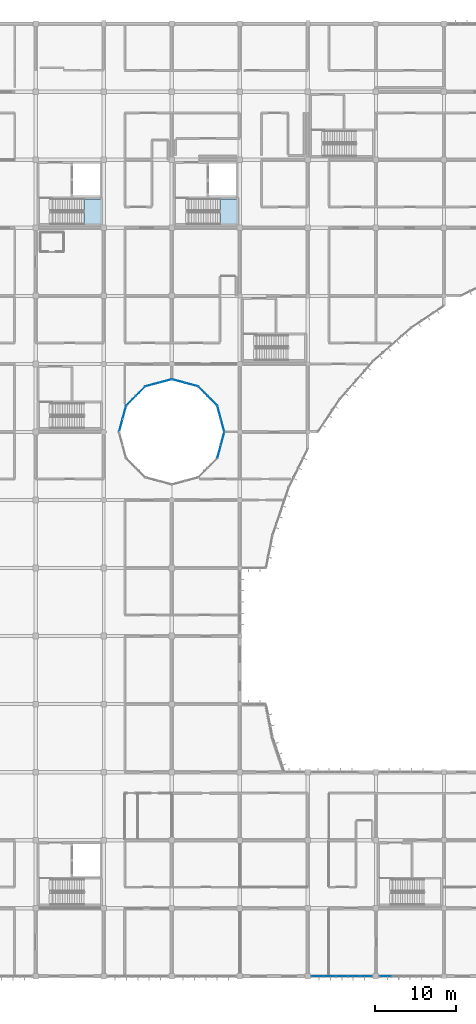
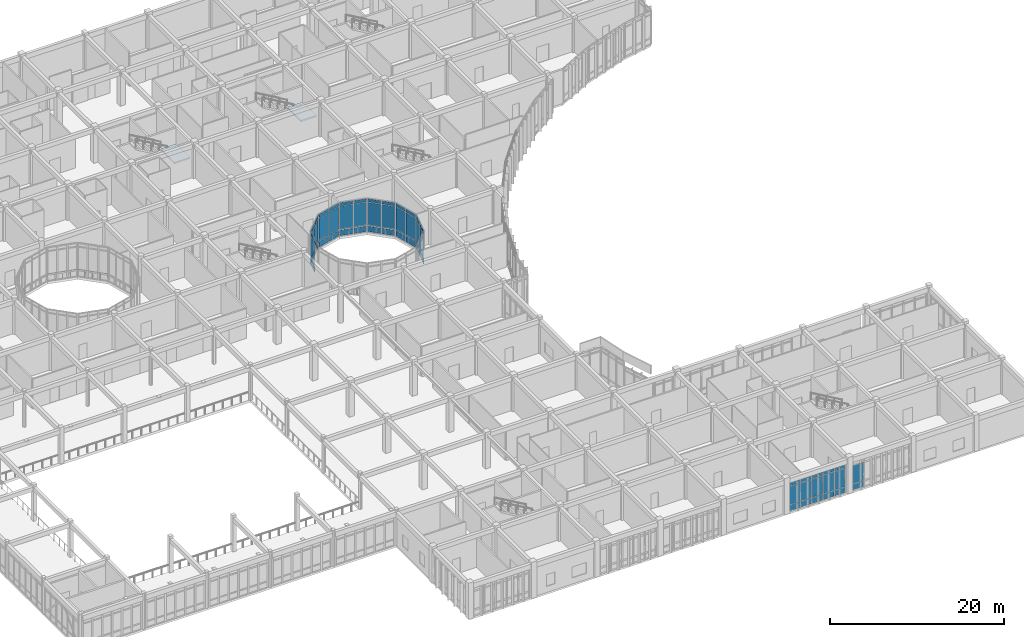
# One storey, part 79 of 134: 57 plates, 2 slabs, 11 elements without a shape of their own.
"""IFC4 building model written with IfcOpenShell, lengths in metres."""

from ifc_helpers import new_model, si_unit, direction, frame, origin, origin_2d, place, context, subcontext, project, spatial, polyline, rectangle, outline, extrude, material, layer, layer_set, type_object, element, aggregate, save


model = new_model("IFC4")

# Units and contexts
model_context = context("Model", 3, precision=1e-05, world=origin(), true_north=direction((0.0, 1.0)))
body_context = subcontext(model_context, "Body", "Model", "MODEL_VIEW")
ifc_project = project(units=[si_unit("LENGTHUNIT", "METRE"), si_unit("AREAUNIT", "SQUARE_METRE"), si_unit("VOLUMEUNIT", "CUBIC_METRE"), si_unit("PLANEANGLEUNIT", "RADIAN"), si_unit("MASSUNIT", "GRAM", prefix="KILO")], contexts=[model_context])

# Site, building, storey
site_placement = place(None, origin())
site = spatial("IfcSite", under=ifc_project, at=site_placement, CompositionType="ELEMENT")
building_placement = place(site_placement, origin())
building = spatial("IfcBuilding", under=site, at=building_placement, Name="Bramfleet General Hospital", CompositionType="ELEMENT")
storey_placement = place(building_placement, frame((0.0, 0.0, 9.300048828125)))
storey = spatial("IfcBuildingStorey", under=building, at=storey_placement, Name="L02", CompositionType="ELEMENT", Elevation=9.300048828125)

# Curtain wall, plates
ifc_material_1 = material(Name="Anodised aluminium and low-E triple glazing", Category="aluminium")
ifc_layer_1 = layer(ifc_material_1, 0.179931640625, Name="CWT-CW-18")
ifc_layer_set_1 = layer_set([ifc_layer_1], Name="Anodised aluminium and low-E triple glazing")
curtain_wall_type_1 = type_object("IfcCurtainWallType", Name="CWT-CW-18", PredefinedType="USERDEFINED", material=ifc_layer_set_1)
curtain_wall_1_placement = place(storey_placement, origin())
curtain_wall_1 = element("IfcCurtainWall", 1, at=curtain_wall_1_placement, inside=storey, type_object=curtain_wall_type_1, Name="L02 East Laboratory Light Court Curtain Wall 6.1", ObjectType="Stick curtain wall", PredefinedType="USERDEFINED")
ifc_material_2 = material(Name="Low-E laminated safety glass", Category="glass")
ifc_layer_2 = layer(ifc_material_2, 0.031982421875, Name="CWP-GLZ-2")
ifc_layer_set_2 = layer_set([ifc_layer_2], Name="Low-E laminated safety glass")
plate_type_1 = type_object("IfcPlateType", Name="CWP-GLZ-2", PredefinedType="CURTAIN_PANEL", material=ifc_layer_set_2)
plate_1_placement = place(storey_placement, frame((123.451171875, 64.779296875, 0.06494140625), z_axis=(0.0, 0.0, 1.0), x_axis=(0.258864833085, 0.965913556273, 0.0)))
plate_1 = element("IfcPlate", 2, at=plate_1_placement, type_object=plate_type_1, Name="CW-18 panel 1.1", PredefinedType="CURTAIN_PANEL", context=body_context, shape_type="SweptSolid", body=[
    extrude(rectangle(XDim=1.577392578125, YDim=0.031982421875, at=origin_2d()), origin(), (0.0, 0.0, 1.0), 0.802490234375),
])
plate_2_placement = place(storey_placement, frame((123.451171875, 64.779296875, 0.9326171875), z_axis=(0.0, 0.0, 1.0), x_axis=(0.258864833085, 0.965913556273, 0.0)))
plate_2 = element("IfcPlate", 3, at=plate_2_placement, type_object=plate_type_1, Name="CW-18 panel 1.2", PredefinedType="CURTAIN_PANEL", context=body_context, shape_type="SweptSolid", body=[
    extrude(rectangle(XDim=1.577392578125, YDim=0.031982421875, at=origin_2d()), origin(), (0.0, 0.0, 1.0), 3.2548828125),
])
plate_3_placement = place(storey_placement, frame((123.451171875, 64.779296875, 4.25244140625), z_axis=(0.0, 0.0, 1.0), x_axis=(0.258864833085, 0.965913556273, 0.0)))
plate_3 = element("IfcPlate", 4, at=plate_3_placement, type_object=plate_type_1, Name="CW-18 panel 1.3", PredefinedType="CURTAIN_PANEL", context=body_context, shape_type="SweptSolid", body=[
    extrude(rectangle(XDim=1.577392578125, YDim=0.031982421875, at=origin_2d()), origin(), (0.0, 0.0, 1.0), 0.452392578125),
])
plate_4_placement = place(storey_placement, frame((123.877685546875, 66.37060546875, 0.06494140625), z_axis=(0.0, 0.0, 1.0), x_axis=(0.258864833085, 0.965913556273, 0.0)))
plate_4 = element("IfcPlate", 5, at=plate_4_placement, type_object=plate_type_1, Name="CW-18 panel 2.1", PredefinedType="CURTAIN_PANEL", context=body_context, shape_type="SweptSolid", body=[
    extrude(rectangle(XDim=1.577392578125, YDim=0.031982421875, at=origin_2d()), origin(), (0.0, 0.0, 1.0), 0.802490234375),
])
plate_5_placement = place(storey_placement, frame((123.877685546875, 66.37060546875, 0.9326171875), z_axis=(0.0, 0.0, 1.0), x_axis=(0.258864833085, 0.965913556273, 0.0)))
plate_5 = element("IfcPlate", 6, at=plate_5_placement, type_object=plate_type_1, Name="CW-18 panel 2.2", PredefinedType="CURTAIN_PANEL", context=body_context, shape_type="SweptSolid", body=[
    extrude(rectangle(XDim=1.577392578125, YDim=0.031982421875, at=origin_2d()), origin(), (0.0, 0.0, 1.0), 3.2548828125),
])
plate_6_placement = place(storey_placement, frame((123.877685546875, 66.37060546875, 4.25244140625), z_axis=(0.0, 0.0, 1.0), x_axis=(0.258864833085, 0.965913556273, 0.0)))
plate_6 = element("IfcPlate", 7, at=plate_6_placement, type_object=plate_type_1, Name="CW-18 panel 2.3", PredefinedType="CURTAIN_PANEL", context=body_context, shape_type="SweptSolid", body=[
    extrude(rectangle(XDim=1.577392578125, YDim=0.031982421875, at=origin_2d()), origin(), (0.0, 0.0, 1.0), 0.452392578125),
])
aggregate(curtain_wall_1, [plate_1, plate_2, plate_3, plate_4, plate_5, plate_6])

ifc_layer_3 = layer(ifc_material_1, 0.179931640625, Name="CWT-CW-11")
ifc_layer_set_3 = layer_set([ifc_layer_3], Name="Anodised aluminium and low-E triple glazing")
curtain_wall_type_2 = type_object("IfcCurtainWallType", Name="CWT-CW-11", PredefinedType="USERDEFINED", material=ifc_layer_set_3)
curtain_wall_2_placement = place(storey_placement, origin())
curtain_wall_2 = element("IfcCurtainWall", 8, at=curtain_wall_2_placement, inside=storey, type_object=curtain_wall_type_2, Name="L02 East Laboratory Light Court Curtain Wall 7.1", ObjectType="Stick curtain wall", PredefinedType="USERDEFINED")
plate_7_placement = place(storey_placement, frame((123.877685546875, 68.029296875, 0.06494140625), z_axis=(0.0, 0.0, 1.0), x_axis=(-0.258864833085, 0.965913556273, 0.0)))
plate_7 = element("IfcPlate", 9, at=plate_7_placement, type_object=plate_type_1, Name="CW-11 panel 1.1", PredefinedType="CURTAIN_PANEL", context=body_context, shape_type="SweptSolid", body=[
    extrude(rectangle(XDim=1.577392578125, YDim=0.031982421875, at=origin_2d()), origin(), (0.0, 0.0, 1.0), 0.802490234375),
])
plate_8_placement = place(storey_placement, frame((123.877685546875, 68.029296875, 0.9326171875), z_axis=(0.0, 0.0, 1.0), x_axis=(-0.258864833085, 0.965913556273, 0.0)))
plate_8 = element("IfcPlate", 10, at=plate_8_placement, type_object=plate_type_1, Name="CW-11 panel 1.2", PredefinedType="CURTAIN_PANEL", context=body_context, shape_type="SweptSolid", body=[
    extrude(rectangle(XDim=1.577392578125, YDim=0.031982421875, at=origin_2d()), origin(), (0.0, 0.0, 1.0), 3.2548828125),
])
plate_9_placement = place(storey_placement, frame((123.877685546875, 68.029296875, 4.25244140625), z_axis=(0.0, 0.0, 1.0), x_axis=(-0.258864833085, 0.965913556273, 0.0)))
plate_9 = element("IfcPlate", 11, at=plate_9_placement, type_object=plate_type_1, Name="CW-11 panel 1.3", PredefinedType="CURTAIN_PANEL", context=body_context, shape_type="SweptSolid", body=[
    extrude(rectangle(XDim=1.577392578125, YDim=0.031982421875, at=origin_2d()), origin(), (0.0, 0.0, 1.0), 0.452392578125),
])
plate_10_placement = place(storey_placement, frame((123.451171875, 69.62060546875, 0.06494140625), z_axis=(0.0, 0.0, 1.0), x_axis=(-0.258864833085, 0.965913556273, 0.0)))
plate_10 = element("IfcPlate", 12, at=plate_10_placement, type_object=plate_type_1, Name="CW-11 panel 2.1", PredefinedType="CURTAIN_PANEL", context=body_context, shape_type="SweptSolid", body=[
    extrude(rectangle(XDim=1.577392578125, YDim=0.031982421875, at=origin_2d()), origin(), (0.0, 0.0, 1.0), 0.802490234375),
])
plate_11_placement = place(storey_placement, frame((123.451171875, 69.62060546875, 0.9326171875), z_axis=(0.0, 0.0, 1.0), x_axis=(-0.258864833085, 0.965913556273, 0.0)))
plate_11 = element("IfcPlate", 13, at=plate_11_placement, type_object=plate_type_1, Name="CW-11 panel 2.2", PredefinedType="CURTAIN_PANEL", context=body_context, shape_type="SweptSolid", body=[
    extrude(rectangle(XDim=1.577392578125, YDim=0.031982421875, at=origin_2d()), origin(), (0.0, 0.0, 1.0), 3.2548828125),
])
plate_12_placement = place(storey_placement, frame((123.451171875, 69.62060546875, 4.25244140625), z_axis=(0.0, 0.0, 1.0), x_axis=(-0.258864833085, 0.965913556273, 0.0)))
plate_12 = element("IfcPlate", 14, at=plate_12_placement, type_object=plate_type_1, Name="CW-11 panel 2.3", PredefinedType="CURTAIN_PANEL", context=body_context, shape_type="SweptSolid", body=[
    extrude(rectangle(XDim=1.577392578125, YDim=0.031982421875, at=origin_2d()), origin(), (0.0, 0.0, 1.0), 0.452392578125),
])
aggregate(curtain_wall_2, [plate_7, plate_8, plate_9, plate_10, plate_11, plate_12])

ifc_layer_4 = layer(ifc_material_1, 0.179931640625, Name="CWT-CW-12")
ifc_layer_set_4 = layer_set([ifc_layer_4], Name="Anodised aluminium and low-E triple glazing")
curtain_wall_type_3 = type_object("IfcCurtainWallType", Name="CWT-CW-12", PredefinedType="USERDEFINED", material=ifc_layer_set_4)
curtain_wall_3_placement = place(storey_placement, origin())
curtain_wall_3 = element("IfcCurtainWall", 15, at=curtain_wall_3_placement, inside=storey, type_object=curtain_wall_type_3, Name="L02 East Laboratory Light Court Curtain Wall 8.1", ObjectType="Stick curtain wall", PredefinedType="USERDEFINED")
plate_13_placement = place(storey_placement, frame((122.621826171875, 71.05712890625, 0.06494140625), z_axis=(0.0, 0.0, 1.0), x_axis=(-0.707106781187, 0.707106781187, 0.0)))
plate_13 = element("IfcPlate", 16, at=plate_13_placement, type_object=plate_type_1, Name="CW-12 panel 1.1", PredefinedType="CURTAIN_PANEL", context=body_context, shape_type="SweptSolid", body=[
    extrude(rectangle(XDim=1.5771484375, YDim=0.031982421875, at=origin_2d()), origin(), (0.0, 0.0, 1.0), 0.802490234375),
])
plate_14_placement = place(storey_placement, frame((122.621826171875, 71.05712890625, 0.9326171875), z_axis=(0.0, 0.0, 1.0), x_axis=(-0.707106781187, 0.707106781187, 0.0)))
plate_14 = element("IfcPlate", 17, at=plate_14_placement, type_object=plate_type_1, Name="CW-12 panel 1.2", PredefinedType="CURTAIN_PANEL", context=body_context, shape_type="SweptSolid", body=[
    extrude(rectangle(XDim=1.5771484375, YDim=0.031982421875, at=origin_2d()), origin(), (0.0, 0.0, 1.0), 3.2548828125),
])
plate_15_placement = place(storey_placement, frame((122.621826171875, 71.05712890625, 4.25244140625), z_axis=(0.0, 0.0, 1.0), x_axis=(-0.707106781187, 0.707106781187, 0.0)))
plate_15 = element("IfcPlate", 18, at=plate_15_placement, type_object=plate_type_1, Name="CW-12 panel 1.3", PredefinedType="CURTAIN_PANEL", context=body_context, shape_type="SweptSolid", body=[
    extrude(rectangle(XDim=1.5771484375, YDim=0.031982421875, at=origin_2d()), origin(), (0.0, 0.0, 1.0), 0.452392578125),
])
plate_16_placement = place(storey_placement, frame((121.45703125, 72.221923828125, 0.06494140625), z_axis=(0.0, 0.0, 1.0), x_axis=(-0.707106781187, 0.707106781187, 0.0)))
plate_16 = element("IfcPlate", 19, at=plate_16_placement, type_object=plate_type_1, Name="CW-12 panel 2.1", PredefinedType="CURTAIN_PANEL", context=body_context, shape_type="SweptSolid", body=[
    extrude(rectangle(XDim=1.5771484375, YDim=0.031982421875, at=origin_2d()), origin(), (0.0, 0.0, 1.0), 0.802490234375),
])
plate_17_placement = place(storey_placement, frame((121.45703125, 72.221923828125, 0.9326171875), z_axis=(0.0, 0.0, 1.0), x_axis=(-0.707106781187, 0.707106781187, 0.0)))
plate_17 = element("IfcPlate", 20, at=plate_17_placement, type_object=plate_type_1, Name="CW-12 panel 2.2", PredefinedType="CURTAIN_PANEL", context=body_context, shape_type="SweptSolid", body=[
    extrude(rectangle(XDim=1.5771484375, YDim=0.031982421875, at=origin_2d()), origin(), (0.0, 0.0, 1.0), 3.2548828125),
])
plate_18_placement = place(storey_placement, frame((121.45703125, 72.221923828125, 4.25244140625), z_axis=(0.0, 0.0, 1.0), x_axis=(-0.707106781187, 0.707106781187, 0.0)))
plate_18 = element("IfcPlate", 21, at=plate_18_placement, type_object=plate_type_1, Name="CW-12 panel 2.3", PredefinedType="CURTAIN_PANEL", context=body_context, shape_type="SweptSolid", body=[
    extrude(rectangle(XDim=1.5771484375, YDim=0.031982421875, at=origin_2d()), origin(), (0.0, 0.0, 1.0), 0.452392578125),
])
aggregate(curtain_wall_3, [plate_13, plate_14, plate_15, plate_16, plate_17, plate_18])

ifc_layer_5 = layer(ifc_material_1, 0.179931640625, Name="CWT-CW-13")
ifc_layer_set_5 = layer_set([ifc_layer_5], Name="Anodised aluminium and low-E triple glazing")
curtain_wall_type_4 = type_object("IfcCurtainWallType", Name="CWT-CW-13", PredefinedType="USERDEFINED", material=ifc_layer_set_5)
curtain_wall_4_placement = place(storey_placement, origin())
curtain_wall_4 = element("IfcCurtainWall", 22, at=curtain_wall_4_placement, inside=storey, type_object=curtain_wall_type_4, Name="L02 East Laboratory Light Court Curtain Wall 9.1", ObjectType="Stick curtain wall", PredefinedType="USERDEFINED")
plate_19_placement = place(storey_placement, frame((120.0205078125, 73.05126953125, 0.06494140625), z_axis=(0.0, 0.0, 1.0), x_axis=(-0.965913556273, 0.258864833085, 0.0)))
plate_19 = element("IfcPlate", 23, at=plate_19_placement, type_object=plate_type_1, Name="CW-13 panel 1.1", PredefinedType="CURTAIN_PANEL", context=body_context, shape_type="SweptSolid", body=[
    extrude(rectangle(XDim=1.577392578125, YDim=0.031982421875, at=origin_2d()), origin(), (0.0, 0.0, 1.0), 0.802490234375),
])
plate_20_placement = place(storey_placement, frame((120.0205078125, 73.05126953125, 0.9326171875), z_axis=(0.0, 0.0, 1.0), x_axis=(-0.965913556273, 0.258864833085, 0.0)))
plate_20 = element("IfcPlate", 24, at=plate_20_placement, type_object=plate_type_1, Name="CW-13 panel 1.2", PredefinedType="CURTAIN_PANEL", context=body_context, shape_type="SweptSolid", body=[
    extrude(rectangle(XDim=1.577392578125, YDim=0.031982421875, at=origin_2d()), origin(), (0.0, 0.0, 1.0), 3.2548828125),
])
plate_21_placement = place(storey_placement, frame((120.0205078125, 73.05126953125, 4.25244140625), z_axis=(0.0, 0.0, 1.0), x_axis=(-0.965913556273, 0.258864833085, 0.0)))
plate_21 = element("IfcPlate", 25, at=plate_21_placement, type_object=plate_type_1, Name="CW-13 panel 1.3", PredefinedType="CURTAIN_PANEL", context=body_context, shape_type="SweptSolid", body=[
    extrude(rectangle(XDim=1.577392578125, YDim=0.031982421875, at=origin_2d()), origin(), (0.0, 0.0, 1.0), 0.452392578125),
])
plate_22_placement = place(storey_placement, frame((118.429443359375, 73.477783203125, 0.06494140625), z_axis=(0.0, 0.0, 1.0), x_axis=(-0.965913556273, 0.258864833085, 0.0)))
plate_22 = element("IfcPlate", 26, at=plate_22_placement, type_object=plate_type_1, Name="CW-13 panel 2.1", PredefinedType="CURTAIN_PANEL", context=body_context, shape_type="SweptSolid", body=[
    extrude(rectangle(XDim=1.577392578125, YDim=0.031982421875, at=origin_2d()), origin(), (0.0, 0.0, 1.0), 0.802490234375),
])
plate_23_placement = place(storey_placement, frame((118.429443359375, 73.477783203125, 0.9326171875), z_axis=(0.0, 0.0, 1.0), x_axis=(-0.965913556273, 0.258864833085, 0.0)))
plate_23 = element("IfcPlate", 27, at=plate_23_placement, type_object=plate_type_1, Name="CW-13 panel 2.2", PredefinedType="CURTAIN_PANEL", context=body_context, shape_type="SweptSolid", body=[
    extrude(rectangle(XDim=1.577392578125, YDim=0.031982421875, at=origin_2d()), origin(), (0.0, 0.0, 1.0), 3.2548828125),
])
plate_24_placement = place(storey_placement, frame((118.429443359375, 73.477783203125, 4.25244140625), z_axis=(0.0, 0.0, 1.0), x_axis=(-0.965913556273, 0.258864833085, 0.0)))
plate_24 = element("IfcPlate", 28, at=plate_24_placement, type_object=plate_type_1, Name="CW-13 panel 2.3", PredefinedType="CURTAIN_PANEL", context=body_context, shape_type="SweptSolid", body=[
    extrude(rectangle(XDim=1.577392578125, YDim=0.031982421875, at=origin_2d()), origin(), (0.0, 0.0, 1.0), 0.452392578125),
])
aggregate(curtain_wall_4, [plate_19, plate_20, plate_21, plate_22, plate_23, plate_24])

ifc_layer_6 = layer(ifc_material_1, 0.179931640625, Name="CWT-CW-14")
ifc_layer_set_6 = layer_set([ifc_layer_6], Name="Anodised aluminium and low-E triple glazing")
curtain_wall_type_5 = type_object("IfcCurtainWallType", Name="CWT-CW-14", PredefinedType="USERDEFINED", material=ifc_layer_set_6)
curtain_wall_5_placement = place(storey_placement, origin())
curtain_wall_5 = element("IfcCurtainWall", 29, at=curtain_wall_5_placement, inside=storey, type_object=curtain_wall_type_5, Name="L02 East Laboratory Light Court Curtain Wall 10.1", ObjectType="Stick curtain wall", PredefinedType="USERDEFINED")
plate_25_placement = place(storey_placement, frame((116.7705078125, 73.477783203125, 0.06494140625), z_axis=(0.0, 0.0, 1.0), x_axis=(-0.965913556273, -0.258864833085, 0.0)))
plate_25 = element("IfcPlate", 30, at=plate_25_placement, type_object=plate_type_1, Name="CW-14 panel 1.1", PredefinedType="CURTAIN_PANEL", context=body_context, shape_type="SweptSolid", body=[
    extrude(rectangle(XDim=1.577392578125, YDim=0.031982421875, at=origin_2d()), origin(), (0.0, 0.0, 1.0), 0.802490234375),
])
plate_26_placement = place(storey_placement, frame((116.7705078125, 73.477783203125, 0.9326171875), z_axis=(0.0, 0.0, 1.0), x_axis=(-0.965913556273, -0.258864833085, 0.0)))
plate_26 = element("IfcPlate", 31, at=plate_26_placement, type_object=plate_type_1, Name="CW-14 panel 1.2", PredefinedType="CURTAIN_PANEL", context=body_context, shape_type="SweptSolid", body=[
    extrude(rectangle(XDim=1.577392578125, YDim=0.031982421875, at=origin_2d()), origin(), (0.0, 0.0, 1.0), 3.2548828125),
])
plate_27_placement = place(storey_placement, frame((116.7705078125, 73.477783203125, 4.25244140625), z_axis=(0.0, 0.0, 1.0), x_axis=(-0.965913556273, -0.258864833085, 0.0)))
plate_27 = element("IfcPlate", 32, at=plate_27_placement, type_object=plate_type_1, Name="CW-14 panel 1.3", PredefinedType="CURTAIN_PANEL", context=body_context, shape_type="SweptSolid", body=[
    extrude(rectangle(XDim=1.577392578125, YDim=0.031982421875, at=origin_2d()), origin(), (0.0, 0.0, 1.0), 0.452392578125),
])
plate_28_placement = place(storey_placement, frame((115.179443359375, 73.05126953125, 0.06494140625), z_axis=(0.0, 0.0, 1.0), x_axis=(-0.965913556273, -0.258864833085, 0.0)))
plate_28 = element("IfcPlate", 33, at=plate_28_placement, type_object=plate_type_1, Name="CW-14 panel 2.1", PredefinedType="CURTAIN_PANEL", context=body_context, shape_type="SweptSolid", body=[
    extrude(rectangle(XDim=1.577392578125, YDim=0.031982421875, at=origin_2d()), origin(), (0.0, 0.0, 1.0), 0.802490234375),
])
plate_29_placement = place(storey_placement, frame((115.179443359375, 73.05126953125, 0.9326171875), z_axis=(0.0, 0.0, 1.0), x_axis=(-0.965913556273, -0.258864833085, 0.0)))
plate_29 = element("IfcPlate", 34, at=plate_29_placement, type_object=plate_type_1, Name="CW-14 panel 2.2", PredefinedType="CURTAIN_PANEL", context=body_context, shape_type="SweptSolid", body=[
    extrude(rectangle(XDim=1.577392578125, YDim=0.031982421875, at=origin_2d()), origin(), (0.0, 0.0, 1.0), 3.2548828125),
])
plate_30_placement = place(storey_placement, frame((115.179443359375, 73.05126953125, 4.25244140625), z_axis=(0.0, 0.0, 1.0), x_axis=(-0.965913556273, -0.258864833085, 0.0)))
plate_30 = element("IfcPlate", 35, at=plate_30_placement, type_object=plate_type_1, Name="CW-14 panel 2.3", PredefinedType="CURTAIN_PANEL", context=body_context, shape_type="SweptSolid", body=[
    extrude(rectangle(XDim=1.577392578125, YDim=0.031982421875, at=origin_2d()), origin(), (0.0, 0.0, 1.0), 0.452392578125),
])
aggregate(curtain_wall_5, [plate_25, plate_26, plate_27, plate_28, plate_29, plate_30])

ifc_layer_7 = layer(ifc_material_1, 0.179931640625, Name="CWT-CW-15")
ifc_layer_set_7 = layer_set([ifc_layer_7], Name="Anodised aluminium and low-E triple glazing")
curtain_wall_type_6 = type_object("IfcCurtainWallType", Name="CWT-CW-15", PredefinedType="USERDEFINED", material=ifc_layer_set_7)
curtain_wall_6_placement = place(storey_placement, origin())
curtain_wall_6 = element("IfcCurtainWall", 36, at=curtain_wall_6_placement, inside=storey, type_object=curtain_wall_type_6, Name="L02 East Laboratory Light Court Curtain Wall 11.1", ObjectType="Stick curtain wall", PredefinedType="USERDEFINED")
plate_31_placement = place(storey_placement, frame((113.742919921875, 72.221923828125, 0.06494140625), z_axis=(0.0, 0.0, 1.0), x_axis=(-0.707106781187, -0.707106781187, 0.0)))
plate_31 = element("IfcPlate", 37, at=plate_31_placement, type_object=plate_type_1, Name="CW-15 panel 1.1", PredefinedType="CURTAIN_PANEL", context=body_context, shape_type="SweptSolid", body=[
    extrude(rectangle(XDim=1.5771484375, YDim=0.031982421875, at=origin_2d()), origin(), (0.0, 0.0, 1.0), 0.802490234375),
])
plate_32_placement = place(storey_placement, frame((113.742919921875, 72.221923828125, 0.9326171875), z_axis=(0.0, 0.0, 1.0), x_axis=(-0.707106781187, -0.707106781187, 0.0)))
plate_32 = element("IfcPlate", 38, at=plate_32_placement, type_object=plate_type_1, Name="CW-15 panel 1.2", PredefinedType="CURTAIN_PANEL", context=body_context, shape_type="SweptSolid", body=[
    extrude(rectangle(XDim=1.5771484375, YDim=0.031982421875, at=origin_2d()), origin(), (0.0, 0.0, 1.0), 3.2548828125),
])
plate_33_placement = place(storey_placement, frame((113.742919921875, 72.221923828125, 4.25244140625), z_axis=(0.0, 0.0, 1.0), x_axis=(-0.707106781187, -0.707106781187, 0.0)))
plate_33 = element("IfcPlate", 39, at=plate_33_placement, type_object=plate_type_1, Name="CW-15 panel 1.3", PredefinedType="CURTAIN_PANEL", context=body_context, shape_type="SweptSolid", body=[
    extrude(rectangle(XDim=1.5771484375, YDim=0.031982421875, at=origin_2d()), origin(), (0.0, 0.0, 1.0), 0.452392578125),
])
plate_34_placement = place(storey_placement, frame((112.578125, 71.05712890625, 0.06494140625), z_axis=(0.0, 0.0, 1.0), x_axis=(-0.707106781187, -0.707106781187, 0.0)))
plate_34 = element("IfcPlate", 40, at=plate_34_placement, type_object=plate_type_1, Name="CW-15 panel 2.1", PredefinedType="CURTAIN_PANEL", context=body_context, shape_type="SweptSolid", body=[
    extrude(rectangle(XDim=1.5771484375, YDim=0.031982421875, at=origin_2d()), origin(), (0.0, 0.0, 1.0), 0.802490234375),
])
plate_35_placement = place(storey_placement, frame((112.578125, 71.05712890625, 0.9326171875), z_axis=(0.0, 0.0, 1.0), x_axis=(-0.707106781187, -0.707106781187, 0.0)))
plate_35 = element("IfcPlate", 41, at=plate_35_placement, type_object=plate_type_1, Name="CW-15 panel 2.2", PredefinedType="CURTAIN_PANEL", context=body_context, shape_type="SweptSolid", body=[
    extrude(rectangle(XDim=1.5771484375, YDim=0.031982421875, at=origin_2d()), origin(), (0.0, 0.0, 1.0), 3.2548828125),
])
plate_36_placement = place(storey_placement, frame((112.578125, 71.05712890625, 4.25244140625), z_axis=(0.0, 0.0, 1.0), x_axis=(-0.707106781187, -0.707106781187, 0.0)))
plate_36 = element("IfcPlate", 42, at=plate_36_placement, type_object=plate_type_1, Name="CW-15 panel 2.3", PredefinedType="CURTAIN_PANEL", context=body_context, shape_type="SweptSolid", body=[
    extrude(rectangle(XDim=1.5771484375, YDim=0.031982421875, at=origin_2d()), origin(), (0.0, 0.0, 1.0), 0.452392578125),
])
aggregate(curtain_wall_6, [plate_31, plate_32, plate_33, plate_34, plate_35, plate_36])

ifc_layer_8 = layer(ifc_material_1, 0.179931640625, Name="CWT-CW-16")
ifc_layer_set_8 = layer_set([ifc_layer_8], Name="Anodised aluminium and low-E triple glazing")
curtain_wall_type_7 = type_object("IfcCurtainWallType", Name="CWT-CW-16", PredefinedType="USERDEFINED", material=ifc_layer_set_8)
curtain_wall_7_placement = place(storey_placement, origin())
curtain_wall_7 = element("IfcCurtainWall", 43, at=curtain_wall_7_placement, inside=storey, type_object=curtain_wall_type_7, Name="L02 East Laboratory Light Court Curtain Wall 12.1", ObjectType="Stick curtain wall", PredefinedType="USERDEFINED")
plate_37_placement = place(storey_placement, frame((111.748779296875, 69.62060546875, 0.06494140625), z_axis=(0.0, 0.0, 1.0), x_axis=(-0.258864833085, -0.965913556273, 0.0)))
plate_37 = element("IfcPlate", 44, at=plate_37_placement, type_object=plate_type_1, Name="CW-16 panel 1.1", PredefinedType="CURTAIN_PANEL", context=body_context, shape_type="SweptSolid", body=[
    extrude(rectangle(XDim=1.577392578125, YDim=0.031982421875, at=origin_2d()), origin(), (0.0, 0.0, 1.0), 0.802490234375),
])
plate_38_placement = place(storey_placement, frame((111.748779296875, 69.62060546875, 0.9326171875), z_axis=(0.0, 0.0, 1.0), x_axis=(-0.258864833085, -0.965913556273, 0.0)))
plate_38 = element("IfcPlate", 45, at=plate_38_placement, type_object=plate_type_1, Name="CW-16 panel 1.2", PredefinedType="CURTAIN_PANEL", context=body_context, shape_type="SweptSolid", body=[
    extrude(rectangle(XDim=1.577392578125, YDim=0.031982421875, at=origin_2d()), origin(), (0.0, 0.0, 1.0), 3.2548828125),
])
plate_39_placement = place(storey_placement, frame((111.748779296875, 69.62060546875, 4.25244140625), z_axis=(0.0, 0.0, 1.0), x_axis=(-0.258864833085, -0.965913556273, 0.0)))
plate_39 = element("IfcPlate", 46, at=plate_39_placement, type_object=plate_type_1, Name="CW-16 panel 1.3", PredefinedType="CURTAIN_PANEL", context=body_context, shape_type="SweptSolid", body=[
    extrude(rectangle(XDim=1.577392578125, YDim=0.031982421875, at=origin_2d()), origin(), (0.0, 0.0, 1.0), 0.452392578125),
])
plate_40_placement = place(storey_placement, frame((111.322265625, 68.029296875, 4.25244140625), z_axis=(0.0, 0.0, 1.0), x_axis=(-0.258864833085, -0.965913556273, 0.0)))
plate_40 = element("IfcPlate", 47, at=plate_40_placement, type_object=plate_type_1, Name="CW-16 panel 2.3", PredefinedType="CURTAIN_PANEL", context=body_context, shape_type="SweptSolid", body=[
    extrude(rectangle(XDim=1.577392578125, YDim=0.031982421875, at=origin_2d()), origin(), (0.0, 0.0, 1.0), 0.452392578125),
])
aggregate(curtain_wall_7, [plate_37, plate_38, plate_39, plate_40])

curtain_wall_8_placement = place(storey_placement, origin())
curtain_wall_8 = element("IfcCurtainWall", 48, at=curtain_wall_8_placement, inside=storey, type_object=curtain_wall_type_6, Name="L02 Curtain Wall 123", ObjectType="Stick curtain wall", PredefinedType="USERDEFINED")
ifc_layer_9 = layer(ifc_material_2, 0.035888671875, Name="CWP-GLZ-3")
ifc_layer_set_9 = layer_set([ifc_layer_9], Name="Low-E laminated safety glass")
plate_type_2 = type_object("IfcPlateType", Name="CWP-GLZ-3", PredefinedType="CURTAIN_PANEL", material=ifc_layer_set_9)
plate_41_placement = place(storey_placement, frame((144.00244140625, 0.0, 0.06494140625), z_axis=(0.0, 0.0, 1.0), x_axis=(-1.0, 0.0, 0.0)))
plate_41 = element("IfcPlate", 49, at=plate_41_placement, type_object=plate_type_2, Name="CW-15 panel 5.1", PredefinedType="CURTAIN_PANEL", context=body_context, shape_type="SweptSolid", body=[
    extrude(rectangle(XDim=1.4150390625, YDim=0.035888671875, at=origin_2d()), origin(), (0.0, 0.0, 1.0), 0.802490234375),
])
plate_42_placement = place(storey_placement, frame((144.00244140625, 0.0, 0.9326171875), z_axis=(0.0, 0.0, 1.0), x_axis=(-1.0, 0.0, 0.0)))
plate_42 = element("IfcPlate", 50, at=plate_42_placement, type_object=plate_type_2, Name="CW-15 panel 5.2", PredefinedType="CURTAIN_PANEL", context=body_context, shape_type="SweptSolid", body=[
    extrude(rectangle(XDim=1.4150390625, YDim=0.035888671875, at=origin_2d()), origin(), (0.0, 0.0, 1.0), 2.554931640625),
])
aggregate(curtain_wall_8, [plate_41, plate_42])

curtain_wall_9_placement = place(storey_placement, origin())
curtain_wall_9 = element("IfcCurtainWall", 51, at=curtain_wall_9_placement, inside=storey, type_object=curtain_wall_type_7, Name="L02 Curtain Wall 124", ObjectType="Stick curtain wall", PredefinedType="USERDEFINED")
ifc_layer_10 = layer(ifc_material_2, 0.0419921875, Name="CWP-GLZ-4")
ifc_layer_set_10 = layer_set([ifc_layer_10], Name="Low-E laminated safety glass")
plate_type_3 = type_object("IfcPlateType", Name="CWP-GLZ-4", PredefinedType="CURTAIN_PANEL", material=ifc_layer_set_10)
plate_43_placement = place(storey_placement, frame((141.6025390625, 0.0, 0.06494140625), z_axis=(0.0, 0.0, 1.0), x_axis=(-1.0, 0.0, 0.0)))
plate_43 = element("IfcPlate", 52, at=plate_43_placement, type_object=plate_type_3, Name="CW-16 panel 1.1", PredefinedType="CURTAIN_PANEL", context=body_context, shape_type="SweptSolid", body=[
    extrude(rectangle(XDim=1.405029296875, YDim=0.0419921875, at=origin_2d()), origin(), (0.0, 0.0, 1.0), 0.802490234375),
])
plate_44_placement = place(storey_placement, frame((141.6025390625, 0.0, 0.9326171875), z_axis=(0.0, 0.0, 1.0), x_axis=(-1.0, 0.0, 0.0)))
plate_44 = element("IfcPlate", 53, at=plate_44_placement, type_object=plate_type_3, Name="CW-16 panel 1.2", PredefinedType="CURTAIN_PANEL", context=body_context, shape_type="SweptSolid", body=[
    extrude(rectangle(XDim=1.405029296875, YDim=0.0419921875, at=origin_2d()), origin(), (0.0, 0.0, 1.0), 2.554931640625),
])
plate_45_placement = place(storey_placement, frame((141.6025390625, 0.0, 3.552734375), z_axis=(0.0, 0.0, 1.0), x_axis=(-1.0, 0.0, 0.0)))
plate_45 = element("IfcPlate", 54, at=plate_45_placement, type_object=plate_type_3, Name="CW-16 panel 1.3", PredefinedType="CURTAIN_PANEL", context=body_context, shape_type="SweptSolid", body=[
    extrude(rectangle(XDim=1.405029296875, YDim=0.0419921875, at=origin_2d()), origin(), (0.0, 0.0, 1.0), 0.452392578125),
])
plate_46_placement = place(storey_placement, frame((140.110107421875, 0.0, 0.06494140625), z_axis=(0.0, 0.0, 1.0), x_axis=(-1.0, 0.0, 0.0)))
plate_46 = element("IfcPlate", 55, at=plate_46_placement, type_object=plate_type_3, Name="CW-16 panel 2.1", PredefinedType="CURTAIN_PANEL", context=body_context, shape_type="SweptSolid", body=[
    extrude(rectangle(XDim=1.43994140625, YDim=0.0419921875, at=origin_2d()), origin(), (0.0, 0.0, 1.0), 0.802490234375),
])
plate_47_placement = place(storey_placement, frame((140.110107421875, 0.0, 0.9326171875), z_axis=(0.0, 0.0, 1.0), x_axis=(-1.0, 0.0, 0.0)))
plate_47 = element("IfcPlate", 56, at=plate_47_placement, type_object=plate_type_3, Name="CW-16 panel 2.2", PredefinedType="CURTAIN_PANEL", context=body_context, shape_type="SweptSolid", body=[
    extrude(rectangle(XDim=1.43994140625, YDim=0.0419921875, at=origin_2d()), origin(), (0.0, 0.0, 1.0), 2.554931640625),
])
plate_48_placement = place(storey_placement, frame((140.110107421875, 0.0, 3.552734375), z_axis=(0.0, 0.0, 1.0), x_axis=(-1.0, 0.0, 0.0)))
plate_48 = element("IfcPlate", 57, at=plate_48_placement, type_object=plate_type_3, Name="CW-16 panel 2.3", PredefinedType="CURTAIN_PANEL", context=body_context, shape_type="SweptSolid", body=[
    extrude(rectangle(XDim=1.43994140625, YDim=0.0419921875, at=origin_2d()), origin(), (0.0, 0.0, 1.0), 0.452392578125),
])
plate_49_placement = place(storey_placement, frame((138.60009765625, 0.0, 0.06494140625), z_axis=(0.0, 0.0, 1.0), x_axis=(-1.0, 0.0, 0.0)))
plate_49 = element("IfcPlate", 58, at=plate_49_placement, type_object=plate_type_3, Name="CW-16 panel 3.1", PredefinedType="CURTAIN_PANEL", context=body_context, shape_type="SweptSolid", body=[
    extrude(rectangle(XDim=1.43994140625, YDim=0.0419921875, at=origin_2d()), origin(), (0.0, 0.0, 1.0), 0.802490234375),
])
plate_50_placement = place(storey_placement, frame((138.60009765625, 0.0, 0.9326171875), z_axis=(0.0, 0.0, 1.0), x_axis=(-1.0, 0.0, 0.0)))
plate_50 = element("IfcPlate", 59, at=plate_50_placement, type_object=plate_type_3, Name="CW-16 panel 3.2", PredefinedType="CURTAIN_PANEL", context=body_context, shape_type="SweptSolid", body=[
    extrude(rectangle(XDim=1.43994140625, YDim=0.0419921875, at=origin_2d()), origin(), (0.0, 0.0, 1.0), 2.554931640625),
])
plate_51_placement = place(storey_placement, frame((138.60009765625, 0.0, 3.552734375), z_axis=(0.0, 0.0, 1.0), x_axis=(-1.0, 0.0, 0.0)))
plate_51 = element("IfcPlate", 60, at=plate_51_placement, type_object=plate_type_3, Name="CW-16 panel 3.3", PredefinedType="CURTAIN_PANEL", context=body_context, shape_type="SweptSolid", body=[
    extrude(rectangle(XDim=1.43994140625, YDim=0.0419921875, at=origin_2d()), origin(), (0.0, 0.0, 1.0), 0.452392578125),
])
plate_52_placement = place(storey_placement, frame((137.090087890625, 0.0, 0.06494140625), z_axis=(0.0, 0.0, 1.0), x_axis=(-1.0, 0.0, 0.0)))
plate_52 = element("IfcPlate", 61, at=plate_52_placement, type_object=plate_type_3, Name="CW-16 panel 4.1", PredefinedType="CURTAIN_PANEL", context=body_context, shape_type="SweptSolid", body=[
    extrude(rectangle(XDim=1.43994140625, YDim=0.0419921875, at=origin_2d()), origin(), (0.0, 0.0, 1.0), 0.802490234375),
])
plate_53_placement = place(storey_placement, frame((137.090087890625, 0.0, 0.9326171875), z_axis=(0.0, 0.0, 1.0), x_axis=(-1.0, 0.0, 0.0)))
plate_53 = element("IfcPlate", 62, at=plate_53_placement, type_object=plate_type_3, Name="CW-16 panel 4.2", PredefinedType="CURTAIN_PANEL", context=body_context, shape_type="SweptSolid", body=[
    extrude(rectangle(XDim=1.43994140625, YDim=0.0419921875, at=origin_2d()), origin(), (0.0, 0.0, 1.0), 2.554931640625),
])
plate_54_placement = place(storey_placement, frame((137.090087890625, 0.0, 3.552734375), z_axis=(0.0, 0.0, 1.0), x_axis=(-1.0, 0.0, 0.0)))
plate_54 = element("IfcPlate", 63, at=plate_54_placement, type_object=plate_type_3, Name="CW-16 panel 4.3", PredefinedType="CURTAIN_PANEL", context=body_context, shape_type="SweptSolid", body=[
    extrude(rectangle(XDim=1.43994140625, YDim=0.0419921875, at=origin_2d()), origin(), (0.0, 0.0, 1.0), 0.452392578125),
])
plate_55_placement = place(storey_placement, frame((135.597412109375, 0.0, 0.06494140625), z_axis=(0.0, 0.0, 1.0), x_axis=(-1.0, 0.0, 0.0)))
plate_55 = element("IfcPlate", 64, at=plate_55_placement, type_object=plate_type_3, Name="CW-16 panel 5.1", PredefinedType="CURTAIN_PANEL", context=body_context, shape_type="SweptSolid", body=[
    extrude(rectangle(XDim=1.405029296875, YDim=0.0419921875, at=origin_2d()), origin(), (0.0, 0.0, 1.0), 0.802490234375),
])
plate_56_placement = place(storey_placement, frame((135.597412109375, 0.0, 0.9326171875), z_axis=(0.0, 0.0, 1.0), x_axis=(-1.0, 0.0, 0.0)))
plate_56 = element("IfcPlate", 65, at=plate_56_placement, type_object=plate_type_3, Name="CW-16 panel 5.2", PredefinedType="CURTAIN_PANEL", context=body_context, shape_type="SweptSolid", body=[
    extrude(rectangle(XDim=1.405029296875, YDim=0.0419921875, at=origin_2d()), origin(), (0.0, 0.0, 1.0), 2.554931640625),
])
plate_57_placement = place(storey_placement, frame((135.597412109375, 0.0, 3.552734375), z_axis=(0.0, 0.0, 1.0), x_axis=(-1.0, 0.0, 0.0)))
plate_57 = element("IfcPlate", 66, at=plate_57_placement, type_object=plate_type_3, Name="CW-16 panel 5.3", PredefinedType="CURTAIN_PANEL", context=body_context, shape_type="SweptSolid", body=[
    extrude(rectangle(XDim=1.405029296875, YDim=0.0419921875, at=origin_2d()), origin(), (0.0, 0.0, 1.0), 0.452392578125),
])
aggregate(curtain_wall_9, [plate_43, plate_44, plate_45, plate_46, plate_47, plate_48, plate_49, plate_50, plate_51, plate_52, plate_53, plate_54, plate_55, plate_56, plate_57])

# Stair, slab
ifc_material_3 = material(Name="Concrete C35/45", Category="concrete")
stair_type = type_object("IfcStairType", Name="STR-T1", PredefinedType="HALF_TURN_STAIR", material=ifc_material_3)
stair_1_placement = place(storey_placement, origin())
stair_1 = element("IfcStair", 67, at=stair_1_placement, inside=storey, type_object=stair_type, Name="L02 Core C4 (Central Spine & Helipad Trauma) Protected Escape Stair", PredefinedType="HALF_TURN_STAIR")
ifc_layer_11 = layer(ifc_material_3, 0.199951171875, Name="SL-LND-200")
ifc_layer_set_11 = layer_set([ifc_layer_11], Name="Concrete C35/45")
slab_type = type_object("IfcSlabType", Name="SL-LND-200", PredefinedType="LANDING", material=ifc_layer_set_11)
slab_1_placement = place(storey_placement, frame((0.0, 0.0, 2.349853515625)))
slab_1 = element("IfcSlab", 68, at=slab_1_placement, type_object=slab_type, Name="ST-C4 landing 1", PredefinedType="LANDING", context=body_context, shape_type="SweptSolid", body=[
    extrude(outline(polyline([(106.77001953125, 92.820068359375), (108.860107421875, 92.820068359375), (108.860107421875, 95.97998046875), (106.77001953125, 95.97998046875), (106.77001953125, 92.820068359375)])), origin(), (0.0, 0.0, 1.0), 0.2001953125),
])
aggregate(stair_1, [slab_1])

stair_2_placement = place(storey_placement, origin())
stair_2 = element("IfcStair", 69, at=stair_2_placement, inside=storey, type_object=stair_type, Name="L02 Core C6 (North-East Ward & Helipad) Protected Escape Stair", PredefinedType="HALF_TURN_STAIR")
slab_2_placement = place(storey_placement, frame((0.0, 0.0, 2.349853515625)))
slab_2 = element("IfcSlab", 70, at=slab_2_placement, type_object=slab_type, Name="ST-C6 landing 1", PredefinedType="LANDING", context=body_context, shape_type="SweptSolid", body=[
    extrude(outline(polyline([(123.570068359375, 92.820068359375), (125.659912109375, 92.820068359375), (125.659912109375, 95.97998046875), (123.570068359375, 95.97998046875), (123.570068359375, 92.820068359375)])), origin(), (0.0, 0.0, 1.0), 0.2001953125),
])
aggregate(stair_2, [slab_2])

save(model, "model.ifc")
